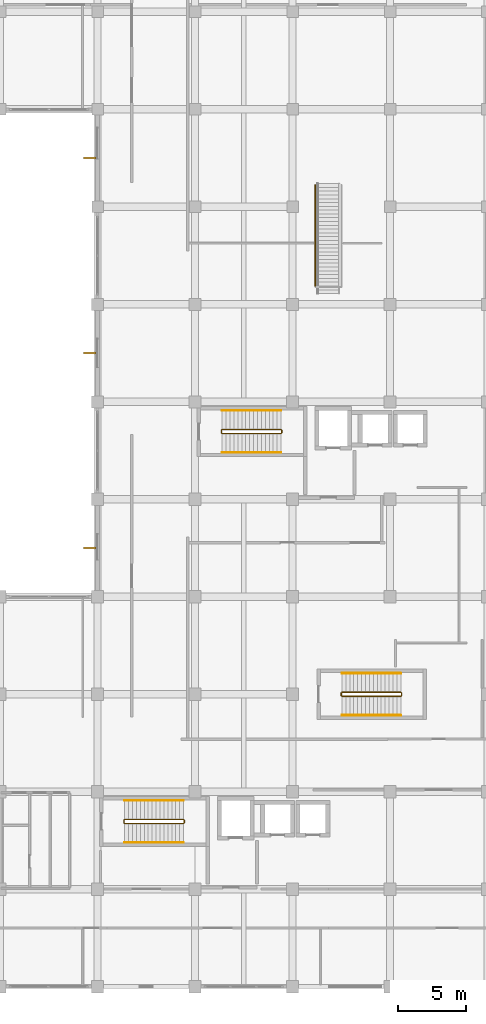
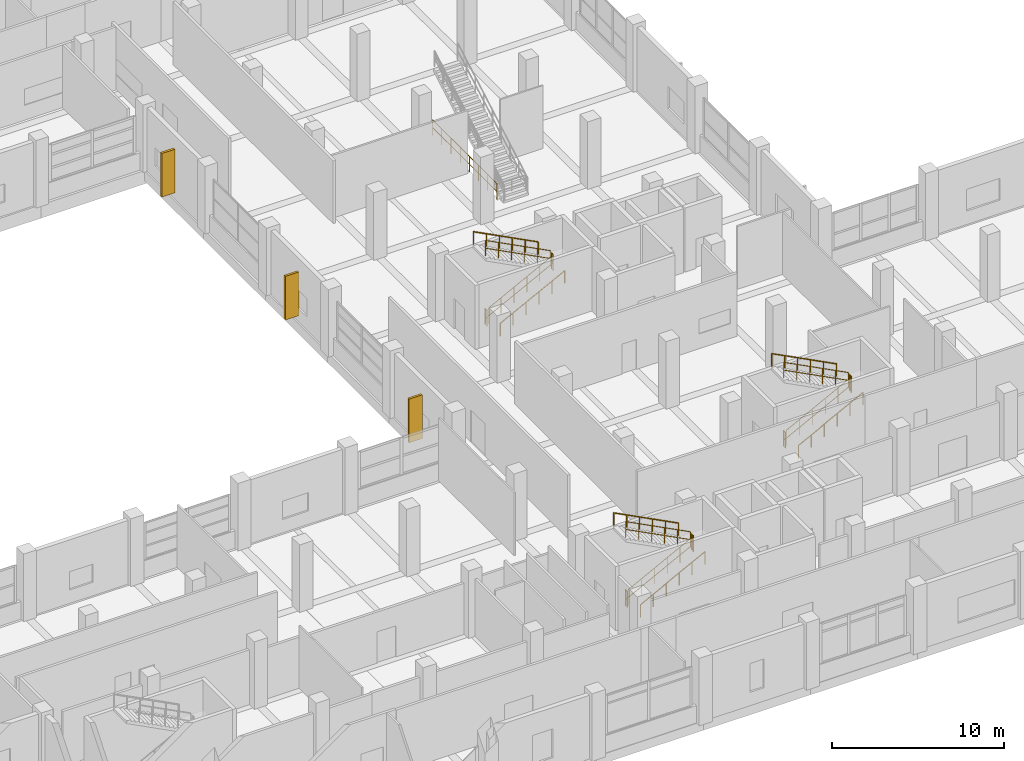
# One storey, part 174 of 181: 19 railings, 3 shading devices.
"""IFC4 building model written with IfcOpenShell, lengths in metres."""

from ifc_helpers import new_model, si_unit, direction, frame, origin, origin_2d, place, context, subcontext, project, spatial, rectangle, circle, extrude, material, type_object, element, save


model = new_model("IFC4")

# Units and contexts
model_context = context("Model", 3, precision=1e-05, world=origin(), true_north=direction((0.0, 1.0)))
body_context = subcontext(model_context, "Body", "Model", "MODEL_VIEW")
ifc_project = project(units=[si_unit("LENGTHUNIT", "METRE"), si_unit("AREAUNIT", "SQUARE_METRE"), si_unit("VOLUMEUNIT", "CUBIC_METRE"), si_unit("PLANEANGLEUNIT", "RADIAN"), si_unit("MASSUNIT", "GRAM", prefix="KILO")], contexts=[model_context])

# Site, building, storey
site_placement = place(None, origin())
site = spatial("IfcSite", under=ifc_project, at=site_placement, CompositionType="ELEMENT")
building_placement = place(site_placement, origin())
building = spatial("IfcBuilding", under=site, at=building_placement, Name="Seraya Terrace Polytechnic", CompositionType="ELEMENT")
storey_placement = place(building_placement, frame((0.0, 0.0, 4.800048828125)))
storey = spatial("IfcBuildingStorey", under=building, at=storey_placement, Name="L01", CompositionType="ELEMENT", Elevation=4.800048828125)

# Shading devices
ifc_material_1 = material(Name="Precast concrete C40/50", Category="concrete")
shading_device_type = type_object("IfcShadingDeviceType", Name="BS-F1", PredefinedType="JALOUSIE", material=ifc_material_1)
for number, where, z_axis, x_axis, name in (
    (1, (78.6201171875, 32.39990234375, 0.449951171875), (0.0, 0.0, 1.0), (-1.0, 0.0, 0.0), "Precast concrete brise-soleil fin L01"),
    (2, (78.6201171875, 46.800048828125, 0.449951171875), (0.0, 0.0, 1.0), (-1.0, 0.0, 0.0), "Precast concrete brise-soleil fin L01"),
    (3, (78.6201171875, 61.199951171875, 0.449951171875), (0.0, 0.0, 1.0), (-1.0, 0.0, 0.0), "Precast concrete brise-soleil fin L01"),
):
    element("IfcShadingDevice", number, at=place(storey_placement, frame(where, z_axis=z_axis, x_axis=x_axis)), inside=storey, type_object=shading_device_type, Name=name, PredefinedType="JALOUSIE", context=body_context, shape_type="SweptSolid", body=[
        extrude(rectangle(XDim=0.89990234375, YDim=0.14990234375, at=origin_2d()), origin(), (0.0, 0.0, 1.0), 3.10009765625),
    ])

# Railings
ifc_material_2 = material(Name="Steel S355J2", Category="steel")
railing_type_1 = type_object("IfcRailingType", Name="GR-02", PredefinedType="GUARDRAIL", material=ifc_material_2)
railing_1_placement = place(storey_placement, frame((81.199951171875, 12.050048828125, 0.14990234375)))
element("IfcRailing", 4, at=railing_1_placement, inside=storey, type_object=railing_type_1, Name="L01 ST-01 stair guard 1", PredefinedType="GUARDRAIL", context=body_context, shape_type="SweptSolid", body=[
    extrude(circle(Radius=0.02392578125, at=origin_2d()), frame((0.0, 0.0, 1.10595703125), z_axis=(0.888221851817, 0.0, 0.459414782038), x_axis=(0.0, 1.0, 0.0)), (0.0, 0.0, 1.0), 4.8974609375),
    extrude(circle(Radius=0.02392578125, at=origin_2d()), frame((0.0, 0.0, 0.550048828125), z_axis=(0.888221851817, 0.0, 0.459414782038), x_axis=(0.0, 1.0, 0.0)), (0.0, 0.0, 1.0), 4.8974609375),
    extrude(circle(Radius=0.02099609375, at=origin_2d()), origin(), (0.0, 0.0, 1.0), 1.081787109375),
    extrude(circle(Radius=0.02099609375, at=origin_2d()), frame((0.8701171875, 0.0, 0.449951171875)), (0.0, 0.0, 1.0), 1.081787109375),
    extrude(circle(Radius=0.02099609375, at=origin_2d()), frame((1.739990234375, 0.0, 0.89990234375)), (0.0, 0.0, 1.0), 1.081787109375),
    extrude(circle(Radius=0.02099609375, at=origin_2d()), frame((2.610107421875, 0.0, 1.35009765625)), (0.0, 0.0, 1.0), 1.081787109375),
    extrude(circle(Radius=0.02099609375, at=origin_2d()), frame((3.47998046875, 0.0, 1.800048828125)), (0.0, 0.0, 1.0), 1.081787109375),
    extrude(circle(Radius=0.02099609375, at=origin_2d()), frame((4.35009765625, 0.0, 2.25)), (0.0, 0.0, 1.0), 1.081787109375),
])
railing_2_placement = place(storey_placement, frame((85.60009765625, 12.10009765625, 2.39990234375)))
element("IfcRailing", 5, at=railing_2_placement, inside=storey, type_object=railing_type_1, Name="L01 ST-01 stair guard 2", PredefinedType="GUARDRAIL", context=body_context, shape_type="SweptSolid", body=[
    extrude(circle(Radius=0.02392578125, at=origin_2d()), frame((0.0, 0.0, 1.10595703125), z_axis=(0.0, 1.0, 0.0), x_axis=(-1.0, 0.0, 0.0)), (0.0, 0.0, 1.0), 0.199951171875),
    extrude(circle(Radius=0.02392578125, at=origin_2d()), frame((0.0, 0.0, 0.550048828125), z_axis=(0.0, 1.0, 0.0), x_axis=(-1.0, 0.0, 0.0)), (0.0, 0.0, 1.0), 0.199951171875),
    extrude(circle(Radius=0.02099609375, at=origin_2d()), origin(), (0.0, 0.0, 1.0), 1.081787109375),
    extrude(circle(Radius=0.02099609375, at=origin_2d()), frame((0.0, 0.199951171875, 0.0)), (0.0, 0.0, 1.0), 1.081787109375),
])
railing_3_placement = place(storey_placement, frame((85.550048828125, 12.35009765625, 2.550048828125)))
element("IfcRailing", 6, at=railing_3_placement, inside=storey, type_object=railing_type_1, Name="L01 ST-01 stair guard 3", PredefinedType="GUARDRAIL", context=body_context, shape_type="SweptSolid", body=[
    extrude(circle(Radius=0.02392578125, at=origin_2d()), frame((0.0, 0.0, 1.10595703125), z_axis=(-0.888221851817, 0.0, 0.459414782038), x_axis=(0.0, -1.0, 0.0)), (0.0, 0.0, 1.0), 4.8974609375),
    extrude(circle(Radius=0.02392578125, at=origin_2d()), frame((0.0, 0.0, 0.550048828125), z_axis=(-0.888221851817, 0.0, 0.459414782038), x_axis=(0.0, -1.0, 0.0)), (0.0, 0.0, 1.0), 4.8974609375),
    extrude(circle(Radius=0.02099609375, at=origin_2d()), origin(), (0.0, 0.0, 1.0), 1.081787109375),
    extrude(circle(Radius=0.02099609375, at=origin_2d()), frame((-0.8701171875, 0.0, 0.449951171875)), (0.0, 0.0, 1.0), 1.081787109375),
    extrude(circle(Radius=0.02099609375, at=origin_2d()), frame((-1.739990234375, 0.0, 0.89990234375)), (0.0, 0.0, 1.0), 1.081787109375),
    extrude(circle(Radius=0.02099609375, at=origin_2d()), frame((-2.610107421875, 0.0, 1.35009765625)), (0.0, 0.0, 1.0), 1.081787109375),
    extrude(circle(Radius=0.02099609375, at=origin_2d()), frame((-3.47998046875, 0.0, 1.800048828125)), (0.0, 0.0, 1.0), 1.081787109375),
    extrude(circle(Radius=0.02099609375, at=origin_2d()), frame((-4.35009765625, 0.0, 2.25)), (0.0, 0.0, 1.0), 1.081787109375),
])
railing_4_placement = place(storey_placement, frame((81.14990234375, 12.10009765625, 0.0)))
element("IfcRailing", 7, at=railing_4_placement, inside=storey, type_object=railing_type_1, Name="L01 ST-01 stair guard 4", PredefinedType="GUARDRAIL", context=body_context, shape_type="SweptSolid", body=[
    extrude(circle(Radius=0.02392578125, at=origin_2d()), frame((0.0, 0.0, 1.10595703125), z_axis=(0.0, 1.0, 0.0), x_axis=(-1.0, 0.0, 0.0)), (0.0, 0.0, 1.0), 0.199951171875),
    extrude(circle(Radius=0.02392578125, at=origin_2d()), frame((0.0, 0.0, 0.550048828125), z_axis=(0.0, 1.0, 0.0), x_axis=(-1.0, 0.0, 0.0)), (0.0, 0.0, 1.0), 0.199951171875),
    extrude(circle(Radius=0.02099609375, at=origin_2d()), origin(), (0.0, 0.0, 1.0), 1.081787109375),
    extrude(circle(Radius=0.02099609375, at=origin_2d()), frame((0.0, 0.199951171875, 0.0)), (0.0, 0.0, 1.0), 1.081787109375),
])
railing_5_placement = place(storey_placement, frame((88.39990234375, 40.85009765625, 0.14990234375)))
element("IfcRailing", 8, at=railing_5_placement, inside=storey, type_object=railing_type_1, Name="L01 ST-02 stair guard 1", PredefinedType="GUARDRAIL", context=body_context, shape_type="SweptSolid", body=[
    extrude(circle(Radius=0.02392578125, at=origin_2d()), frame((0.0, 0.0, 1.10595703125), z_axis=(0.888221851817, 0.0, 0.459414782038), x_axis=(0.0, 1.0, 0.0)), (0.0, 0.0, 1.0), 4.8974609375),
    extrude(circle(Radius=0.02392578125, at=origin_2d()), frame((0.0, 0.0, 0.550048828125), z_axis=(0.888221851817, 0.0, 0.459414782038), x_axis=(0.0, 1.0, 0.0)), (0.0, 0.0, 1.0), 4.8974609375),
    extrude(circle(Radius=0.02099609375, at=origin_2d()), origin(), (0.0, 0.0, 1.0), 1.081787109375),
    extrude(circle(Radius=0.02099609375, at=origin_2d()), frame((0.8701171875, 0.0, 0.449951171875)), (0.0, 0.0, 1.0), 1.081787109375),
    extrude(circle(Radius=0.02099609375, at=origin_2d()), frame((1.739990234375, 0.0, 0.89990234375)), (0.0, 0.0, 1.0), 1.081787109375),
    extrude(circle(Radius=0.02099609375, at=origin_2d()), frame((2.610107421875, 0.0, 1.35009765625)), (0.0, 0.0, 1.0), 1.081787109375),
    extrude(circle(Radius=0.02099609375, at=origin_2d()), frame((3.47998046875, 0.0, 1.800048828125)), (0.0, 0.0, 1.0), 1.081787109375),
    extrude(circle(Radius=0.02099609375, at=origin_2d()), frame((4.35009765625, 0.0, 2.25)), (0.0, 0.0, 1.0), 1.081787109375),
])
railing_6_placement = place(storey_placement, frame((92.800048828125, 40.89990234375, 2.39990234375)))
element("IfcRailing", 9, at=railing_6_placement, inside=storey, type_object=railing_type_1, Name="L01 ST-02 stair guard 2", PredefinedType="GUARDRAIL", context=body_context, shape_type="SweptSolid", body=[
    extrude(circle(Radius=0.02392578125, at=origin_2d()), frame((0.0, 0.0, 1.10595703125), z_axis=(0.0, 1.0, 0.0), x_axis=(-1.0, 0.0, 0.0)), (0.0, 0.0, 1.0), 0.2001953125),
    extrude(circle(Radius=0.02392578125, at=origin_2d()), frame((0.0, 0.0, 0.550048828125), z_axis=(0.0, 1.0, 0.0), x_axis=(-1.0, 0.0, 0.0)), (0.0, 0.0, 1.0), 0.2001953125),
    extrude(circle(Radius=0.02099609375, at=origin_2d()), origin(), (0.0, 0.0, 1.0), 1.081787109375),
    extrude(circle(Radius=0.02099609375, at=origin_2d()), frame((0.0, 0.2001953125, 0.0)), (0.0, 0.0, 1.0), 1.081787109375),
])
railing_7_placement = place(storey_placement, frame((92.75, 41.14990234375, 2.550048828125)))
element("IfcRailing", 10, at=railing_7_placement, inside=storey, type_object=railing_type_1, Name="L01 ST-02 stair guard 3", PredefinedType="GUARDRAIL", context=body_context, shape_type="SweptSolid", body=[
    extrude(circle(Radius=0.02392578125, at=origin_2d()), frame((0.0, 0.0, 1.10595703125), z_axis=(-0.888221851817, 0.0, 0.459414782038), x_axis=(0.0, -1.0, 0.0)), (0.0, 0.0, 1.0), 4.8974609375),
    extrude(circle(Radius=0.02392578125, at=origin_2d()), frame((0.0, 0.0, 0.550048828125), z_axis=(-0.888221851817, 0.0, 0.459414782038), x_axis=(0.0, -1.0, 0.0)), (0.0, 0.0, 1.0), 4.8974609375),
    extrude(circle(Radius=0.02099609375, at=origin_2d()), origin(), (0.0, 0.0, 1.0), 1.081787109375),
    extrude(circle(Radius=0.02099609375, at=origin_2d()), frame((-0.8701171875, 0.0, 0.449951171875)), (0.0, 0.0, 1.0), 1.081787109375),
    extrude(circle(Radius=0.02099609375, at=origin_2d()), frame((-1.739990234375, 0.0, 0.89990234375)), (0.0, 0.0, 1.0), 1.081787109375),
    extrude(circle(Radius=0.02099609375, at=origin_2d()), frame((-2.610107421875, 0.0, 1.35009765625)), (0.0, 0.0, 1.0), 1.081787109375),
    extrude(circle(Radius=0.02099609375, at=origin_2d()), frame((-3.47998046875, 0.0, 1.800048828125)), (0.0, 0.0, 1.0), 1.081787109375),
    extrude(circle(Radius=0.02099609375, at=origin_2d()), frame((-4.35009765625, 0.0, 2.25)), (0.0, 0.0, 1.0), 1.081787109375),
])
railing_8_placement = place(storey_placement, frame((88.35009765625, 40.89990234375, 0.0)))
element("IfcRailing", 11, at=railing_8_placement, inside=storey, type_object=railing_type_1, Name="L01 ST-02 stair guard 4", PredefinedType="GUARDRAIL", context=body_context, shape_type="SweptSolid", body=[
    extrude(circle(Radius=0.02392578125, at=origin_2d()), frame((0.0, 0.0, 1.10595703125), z_axis=(0.0, 1.0, 0.0), x_axis=(-1.0, 0.0, 0.0)), (0.0, 0.0, 1.0), 0.2001953125),
    extrude(circle(Radius=0.02392578125, at=origin_2d()), frame((0.0, 0.0, 0.550048828125), z_axis=(0.0, 1.0, 0.0), x_axis=(-1.0, 0.0, 0.0)), (0.0, 0.0, 1.0), 0.2001953125),
    extrude(circle(Radius=0.02099609375, at=origin_2d()), origin(), (0.0, 0.0, 1.0), 1.081787109375),
    extrude(circle(Radius=0.02099609375, at=origin_2d()), frame((0.0, 0.2001953125, 0.0)), (0.0, 0.0, 1.0), 1.081787109375),
])
railing_9_placement = place(storey_placement, frame((97.25, 21.449951171875, 0.14990234375)))
element("IfcRailing", 12, at=railing_9_placement, inside=storey, type_object=railing_type_1, Name="L01 ST-05 stair guard 1", PredefinedType="GUARDRAIL", context=body_context, shape_type="SweptSolid", body=[
    extrude(circle(Radius=0.02392578125, at=origin_2d()), frame((0.0, 0.0, 1.10595703125), z_axis=(0.888221851817, 0.0, 0.459414782038), x_axis=(0.0, 1.0, 0.0)), (0.0, 0.0, 1.0), 4.8974609375),
    extrude(circle(Radius=0.02392578125, at=origin_2d()), frame((0.0, 0.0, 0.550048828125), z_axis=(0.888221851817, 0.0, 0.459414782038), x_axis=(0.0, 1.0, 0.0)), (0.0, 0.0, 1.0), 4.8974609375),
    extrude(circle(Radius=0.02099609375, at=origin_2d()), origin(), (0.0, 0.0, 1.0), 1.081787109375),
    extrude(circle(Radius=0.02099609375, at=origin_2d()), frame((0.8701171875, 0.0, 0.449951171875)), (0.0, 0.0, 1.0), 1.081787109375),
    extrude(circle(Radius=0.02099609375, at=origin_2d()), frame((1.739990234375, 0.0, 0.89990234375)), (0.0, 0.0, 1.0), 1.081787109375),
    extrude(circle(Radius=0.02099609375, at=origin_2d()), frame((2.610107421875, 0.0, 1.35009765625)), (0.0, 0.0, 1.0), 1.081787109375),
    extrude(circle(Radius=0.02099609375, at=origin_2d()), frame((3.47998046875, 0.0, 1.800048828125)), (0.0, 0.0, 1.0), 1.081787109375),
    extrude(circle(Radius=0.02099609375, at=origin_2d()), frame((4.35009765625, 0.0, 2.25)), (0.0, 0.0, 1.0), 1.081787109375),
])
railing_10_placement = place(storey_placement, frame((101.64990234375, 21.5, 2.39990234375)))
element("IfcRailing", 13, at=railing_10_placement, inside=storey, type_object=railing_type_1, Name="L01 ST-05 stair guard 2", PredefinedType="GUARDRAIL", context=body_context, shape_type="SweptSolid", body=[
    extrude(circle(Radius=0.02392578125, at=origin_2d()), frame((0.0, 0.0, 1.10595703125), z_axis=(0.0, 1.0, 0.0), x_axis=(-1.0, 0.0, 0.0)), (0.0, 0.0, 1.0), 0.199951171875),
    extrude(circle(Radius=0.02392578125, at=origin_2d()), frame((0.0, 0.0, 0.550048828125), z_axis=(0.0, 1.0, 0.0), x_axis=(-1.0, 0.0, 0.0)), (0.0, 0.0, 1.0), 0.199951171875),
    extrude(circle(Radius=0.02099609375, at=origin_2d()), origin(), (0.0, 0.0, 1.0), 1.081787109375),
    extrude(circle(Radius=0.02099609375, at=origin_2d()), frame((0.0, 0.199951171875, 0.0)), (0.0, 0.0, 1.0), 1.081787109375),
])
railing_11_placement = place(storey_placement, frame((101.60009765625, 21.75, 2.550048828125)))
element("IfcRailing", 14, at=railing_11_placement, inside=storey, type_object=railing_type_1, Name="L01 ST-05 stair guard 3", PredefinedType="GUARDRAIL", context=body_context, shape_type="SweptSolid", body=[
    extrude(circle(Radius=0.02392578125, at=origin_2d()), frame((0.0, 0.0, 1.10595703125), z_axis=(-0.888221851817, 0.0, 0.459414782038), x_axis=(0.0, -1.0, 0.0)), (0.0, 0.0, 1.0), 4.8974609375),
    extrude(circle(Radius=0.02392578125, at=origin_2d()), frame((0.0, 0.0, 0.550048828125), z_axis=(-0.888221851817, 0.0, 0.459414782038), x_axis=(0.0, -1.0, 0.0)), (0.0, 0.0, 1.0), 4.8974609375),
    extrude(circle(Radius=0.02099609375, at=origin_2d()), origin(), (0.0, 0.0, 1.0), 1.081787109375),
    extrude(circle(Radius=0.02099609375, at=origin_2d()), frame((-0.8701171875, 0.0, 0.449951171875)), (0.0, 0.0, 1.0), 1.081787109375),
    extrude(circle(Radius=0.02099609375, at=origin_2d()), frame((-1.739990234375, 0.0, 0.89990234375)), (0.0, 0.0, 1.0), 1.081787109375),
    extrude(circle(Radius=0.02099609375, at=origin_2d()), frame((-2.610107421875, 0.0, 1.35009765625)), (0.0, 0.0, 1.0), 1.081787109375),
    extrude(circle(Radius=0.02099609375, at=origin_2d()), frame((-3.47998046875, 0.0, 1.800048828125)), (0.0, 0.0, 1.0), 1.081787109375),
    extrude(circle(Radius=0.02099609375, at=origin_2d()), frame((-4.35009765625, 0.0, 2.25)), (0.0, 0.0, 1.0), 1.081787109375),
])
railing_12_placement = place(storey_placement, frame((97.199951171875, 21.5, 0.0)))
element("IfcRailing", 15, at=railing_12_placement, inside=storey, type_object=railing_type_1, Name="L01 ST-05 stair guard 4", PredefinedType="GUARDRAIL", context=body_context, shape_type="SweptSolid", body=[
    extrude(circle(Radius=0.02392578125, at=origin_2d()), frame((0.0, 0.0, 1.10595703125), z_axis=(0.0, 1.0, 0.0), x_axis=(-1.0, 0.0, 0.0)), (0.0, 0.0, 1.0), 0.199951171875),
    extrude(circle(Radius=0.02392578125, at=origin_2d()), frame((0.0, 0.0, 0.550048828125), z_axis=(0.0, 1.0, 0.0), x_axis=(-1.0, 0.0, 0.0)), (0.0, 0.0, 1.0), 0.199951171875),
    extrude(circle(Radius=0.02099609375, at=origin_2d()), origin(), (0.0, 0.0, 1.0), 1.081787109375),
    extrude(circle(Radius=0.02099609375, at=origin_2d()), frame((0.0, 0.199951171875, 0.0)), (0.0, 0.0, 1.0), 1.081787109375),
])
railing_13_placement = place(storey_placement, frame((95.280029296875, 51.739990234375, 0.0)))
element("IfcRailing", 16, at=railing_13_placement, inside=storey, type_object=railing_type_1, Name="ST-16 top opening guard L01.2", PredefinedType="GUARDRAIL", context=body_context, shape_type="SweptSolid", body=[
    extrude(circle(Radius=0.02392578125, at=origin_2d()), frame((0.0, 0.0, 1.10595703125), z_axis=(0.0, 1.0, 0.0), x_axis=(-1.0, 0.0, 0.0)), (0.0, 0.0, 1.0), 7.47998046875),
    extrude(circle(Radius=0.02392578125, at=origin_2d()), frame((0.0, 0.0, 0.550048828125), z_axis=(0.0, 1.0, 0.0), x_axis=(-1.0, 0.0, 0.0)), (0.0, 0.0, 1.0), 7.47998046875),
    extrude(circle(Radius=0.02099609375, at=origin_2d()), origin(), (0.0, 0.0, 1.0), 1.081787109375),
    extrude(circle(Radius=0.02099609375, at=origin_2d()), frame((0.0, 1.068603515625, 0.0)), (0.0, 0.0, 1.0), 1.081787109375),
    extrude(circle(Radius=0.02099609375, at=origin_2d()), frame((0.0, 2.13720703125, 0.0)), (0.0, 0.0, 1.0), 1.081787109375),
    extrude(circle(Radius=0.02099609375, at=origin_2d()), frame((0.0, 3.205810546875, 0.0)), (0.0, 0.0, 1.0), 1.081787109375),
    extrude(circle(Radius=0.02099609375, at=origin_2d()), frame((0.0, 4.274169921875, 0.0)), (0.0, 0.0, 1.0), 1.081787109375),
    extrude(circle(Radius=0.02099609375, at=origin_2d()), frame((0.0, 5.3427734375, 0.0)), (0.0, 0.0, 1.0), 1.081787109375),
    extrude(circle(Radius=0.02099609375, at=origin_2d()), frame((0.0, 6.411376953125, 0.0)), (0.0, 0.0, 1.0), 1.081787109375),
    extrude(circle(Radius=0.02099609375, at=origin_2d()), frame((0.0, 7.47998046875, 0.0)), (0.0, 0.0, 1.0), 1.081787109375),
])
railing_type_2 = type_object("IfcRailingType", Name="HR-01", PredefinedType="HANDRAIL", material=ifc_material_2)
railing_14_placement = place(storey_placement, frame((81.199951171875, 10.64990234375, 0.14990234375)))
element("IfcRailing", 17, at=railing_14_placement, inside=storey, type_object=railing_type_2, Name="L01 ST-01 stair handrail 1", PredefinedType="HANDRAIL", context=body_context, shape_type="SweptSolid", body=[
    extrude(circle(Radius=0.02392578125, at=origin_2d()), frame((0.0, 0.0, 0.8759765625), z_axis=(0.888221851817, 0.0, 0.459414782038), x_axis=(0.0, 1.0, 0.0)), (0.0, 0.0, 1.0), 4.8974609375),
    extrude(circle(Radius=0.02099609375, at=origin_2d()), origin(), (0.0, 0.0, 1.0), 0.851806640625),
    extrude(circle(Radius=0.02099609375, at=origin_2d()), frame((0.8701171875, 0.0, 0.449951171875)), (0.0, 0.0, 1.0), 0.851806640625),
    extrude(circle(Radius=0.02099609375, at=origin_2d()), frame((1.739990234375, 0.0, 0.89990234375)), (0.0, 0.0, 1.0), 0.851806640625),
    extrude(circle(Radius=0.02099609375, at=origin_2d()), frame((2.610107421875, 0.0, 1.35009765625)), (0.0, 0.0, 1.0), 0.851806640625),
    extrude(circle(Radius=0.02099609375, at=origin_2d()), frame((3.47998046875, 0.0, 1.800048828125)), (0.0, 0.0, 1.0), 0.851806640625),
    extrude(circle(Radius=0.02099609375, at=origin_2d()), frame((4.35009765625, 0.0, 2.25)), (0.0, 0.0, 1.0), 0.851806640625),
])
railing_15_placement = place(storey_placement, frame((85.550048828125, 13.75, 2.550048828125)))
element("IfcRailing", 18, at=railing_15_placement, inside=storey, type_object=railing_type_2, Name="L01 ST-01 stair handrail 2", PredefinedType="HANDRAIL", context=body_context, shape_type="SweptSolid", body=[
    extrude(circle(Radius=0.02392578125, at=origin_2d()), frame((0.0, 0.0, 0.8759765625), z_axis=(-0.888221851817, 0.0, 0.459414782038), x_axis=(0.0, -1.0, 0.0)), (0.0, 0.0, 1.0), 4.8974609375),
    extrude(circle(Radius=0.02099609375, at=origin_2d()), origin(), (0.0, 0.0, 1.0), 0.851806640625),
    extrude(circle(Radius=0.02099609375, at=origin_2d()), frame((-0.8701171875, 0.0, 0.449951171875)), (0.0, 0.0, 1.0), 0.851806640625),
    extrude(circle(Radius=0.02099609375, at=origin_2d()), frame((-1.739990234375, 0.0, 0.89990234375)), (0.0, 0.0, 1.0), 0.851806640625),
    extrude(circle(Radius=0.02099609375, at=origin_2d()), frame((-2.610107421875, 0.0, 1.35009765625)), (0.0, 0.0, 1.0), 0.851806640625),
    extrude(circle(Radius=0.02099609375, at=origin_2d()), frame((-3.47998046875, 0.0, 1.800048828125)), (0.0, 0.0, 1.0), 0.851806640625),
    extrude(circle(Radius=0.02099609375, at=origin_2d()), frame((-4.35009765625, 0.0, 2.25)), (0.0, 0.0, 1.0), 0.851806640625),
])
railing_16_placement = place(storey_placement, frame((88.39990234375, 39.449951171875, 0.14990234375)))
element("IfcRailing", 19, at=railing_16_placement, inside=storey, type_object=railing_type_2, Name="L01 ST-02 stair handrail 1", PredefinedType="HANDRAIL", context=body_context, shape_type="SweptSolid", body=[
    extrude(circle(Radius=0.02392578125, at=origin_2d()), frame((0.0, 0.0, 0.8759765625), z_axis=(0.888221851817, 0.0, 0.459414782038), x_axis=(0.0, 1.0, 0.0)), (0.0, 0.0, 1.0), 4.8974609375),
    extrude(circle(Radius=0.02099609375, at=origin_2d()), origin(), (0.0, 0.0, 1.0), 0.851806640625),
    extrude(circle(Radius=0.02099609375, at=origin_2d()), frame((0.8701171875, 0.0, 0.449951171875)), (0.0, 0.0, 1.0), 0.851806640625),
    extrude(circle(Radius=0.02099609375, at=origin_2d()), frame((1.739990234375, 0.0, 0.89990234375)), (0.0, 0.0, 1.0), 0.851806640625),
    extrude(circle(Radius=0.02099609375, at=origin_2d()), frame((2.610107421875, 0.0, 1.35009765625)), (0.0, 0.0, 1.0), 0.851806640625),
    extrude(circle(Radius=0.02099609375, at=origin_2d()), frame((3.47998046875, 0.0, 1.800048828125)), (0.0, 0.0, 1.0), 0.851806640625),
    extrude(circle(Radius=0.02099609375, at=origin_2d()), frame((4.35009765625, 0.0, 2.25)), (0.0, 0.0, 1.0), 0.851806640625),
])
railing_17_placement = place(storey_placement, frame((92.75, 42.550048828125, 2.550048828125)))
element("IfcRailing", 20, at=railing_17_placement, inside=storey, type_object=railing_type_2, Name="L01 ST-02 stair handrail 2", PredefinedType="HANDRAIL", context=body_context, shape_type="SweptSolid", body=[
    extrude(circle(Radius=0.02392578125, at=origin_2d()), frame((0.0, 0.0, 0.8759765625), z_axis=(-0.888221851817, 0.0, 0.459414782038), x_axis=(0.0, -1.0, 0.0)), (0.0, 0.0, 1.0), 4.8974609375),
    extrude(circle(Radius=0.02099609375, at=origin_2d()), origin(), (0.0, 0.0, 1.0), 0.851806640625),
    extrude(circle(Radius=0.02099609375, at=origin_2d()), frame((-0.8701171875, 0.0, 0.449951171875)), (0.0, 0.0, 1.0), 0.851806640625),
    extrude(circle(Radius=0.02099609375, at=origin_2d()), frame((-1.739990234375, 0.0, 0.89990234375)), (0.0, 0.0, 1.0), 0.851806640625),
    extrude(circle(Radius=0.02099609375, at=origin_2d()), frame((-2.610107421875, 0.0, 1.35009765625)), (0.0, 0.0, 1.0), 0.851806640625),
    extrude(circle(Radius=0.02099609375, at=origin_2d()), frame((-3.47998046875, 0.0, 1.800048828125)), (0.0, 0.0, 1.0), 0.851806640625),
    extrude(circle(Radius=0.02099609375, at=origin_2d()), frame((-4.35009765625, 0.0, 2.25)), (0.0, 0.0, 1.0), 0.851806640625),
])
railing_18_placement = place(storey_placement, frame((97.25, 20.050048828125, 0.14990234375)))
element("IfcRailing", 21, at=railing_18_placement, inside=storey, type_object=railing_type_2, Name="L01 ST-05 stair handrail 1", PredefinedType="HANDRAIL", context=body_context, shape_type="SweptSolid", body=[
    extrude(circle(Radius=0.02392578125, at=origin_2d()), frame((0.0, 0.0, 0.8759765625), z_axis=(0.888221851817, 0.0, 0.459414782038), x_axis=(0.0, 1.0, 0.0)), (0.0, 0.0, 1.0), 4.8974609375),
    extrude(circle(Radius=0.02099609375, at=origin_2d()), origin(), (0.0, 0.0, 1.0), 0.851806640625),
    extrude(circle(Radius=0.02099609375, at=origin_2d()), frame((0.8701171875, 0.0, 0.449951171875)), (0.0, 0.0, 1.0), 0.851806640625),
    extrude(circle(Radius=0.02099609375, at=origin_2d()), frame((1.739990234375, 0.0, 0.89990234375)), (0.0, 0.0, 1.0), 0.851806640625),
    extrude(circle(Radius=0.02099609375, at=origin_2d()), frame((2.610107421875, 0.0, 1.35009765625)), (0.0, 0.0, 1.0), 0.851806640625),
    extrude(circle(Radius=0.02099609375, at=origin_2d()), frame((3.47998046875, 0.0, 1.800048828125)), (0.0, 0.0, 1.0), 0.851806640625),
    extrude(circle(Radius=0.02099609375, at=origin_2d()), frame((4.35009765625, 0.0, 2.25)), (0.0, 0.0, 1.0), 0.851806640625),
])
railing_19_placement = place(storey_placement, frame((101.60009765625, 23.14990234375, 2.550048828125)))
element("IfcRailing", 22, at=railing_19_placement, inside=storey, type_object=railing_type_2, Name="L01 ST-05 stair handrail 2", PredefinedType="HANDRAIL", context=body_context, shape_type="SweptSolid", body=[
    extrude(circle(Radius=0.02392578125, at=origin_2d()), frame((0.0, 0.0, 0.8759765625), z_axis=(-0.888221851817, 0.0, 0.459414782038), x_axis=(0.0, -1.0, 0.0)), (0.0, 0.0, 1.0), 4.8974609375),
    extrude(circle(Radius=0.02099609375, at=origin_2d()), origin(), (0.0, 0.0, 1.0), 0.851806640625),
    extrude(circle(Radius=0.02099609375, at=origin_2d()), frame((-0.8701171875, 0.0, 0.449951171875)), (0.0, 0.0, 1.0), 0.851806640625),
    extrude(circle(Radius=0.02099609375, at=origin_2d()), frame((-1.739990234375, 0.0, 0.89990234375)), (0.0, 0.0, 1.0), 0.851806640625),
    extrude(circle(Radius=0.02099609375, at=origin_2d()), frame((-2.610107421875, 0.0, 1.35009765625)), (0.0, 0.0, 1.0), 0.851806640625),
    extrude(circle(Radius=0.02099609375, at=origin_2d()), frame((-3.47998046875, 0.0, 1.800048828125)), (0.0, 0.0, 1.0), 0.851806640625),
    extrude(circle(Radius=0.02099609375, at=origin_2d()), frame((-4.35009765625, 0.0, 2.25)), (0.0, 0.0, 1.0), 0.851806640625),
])

save(model, "model.ifc")
